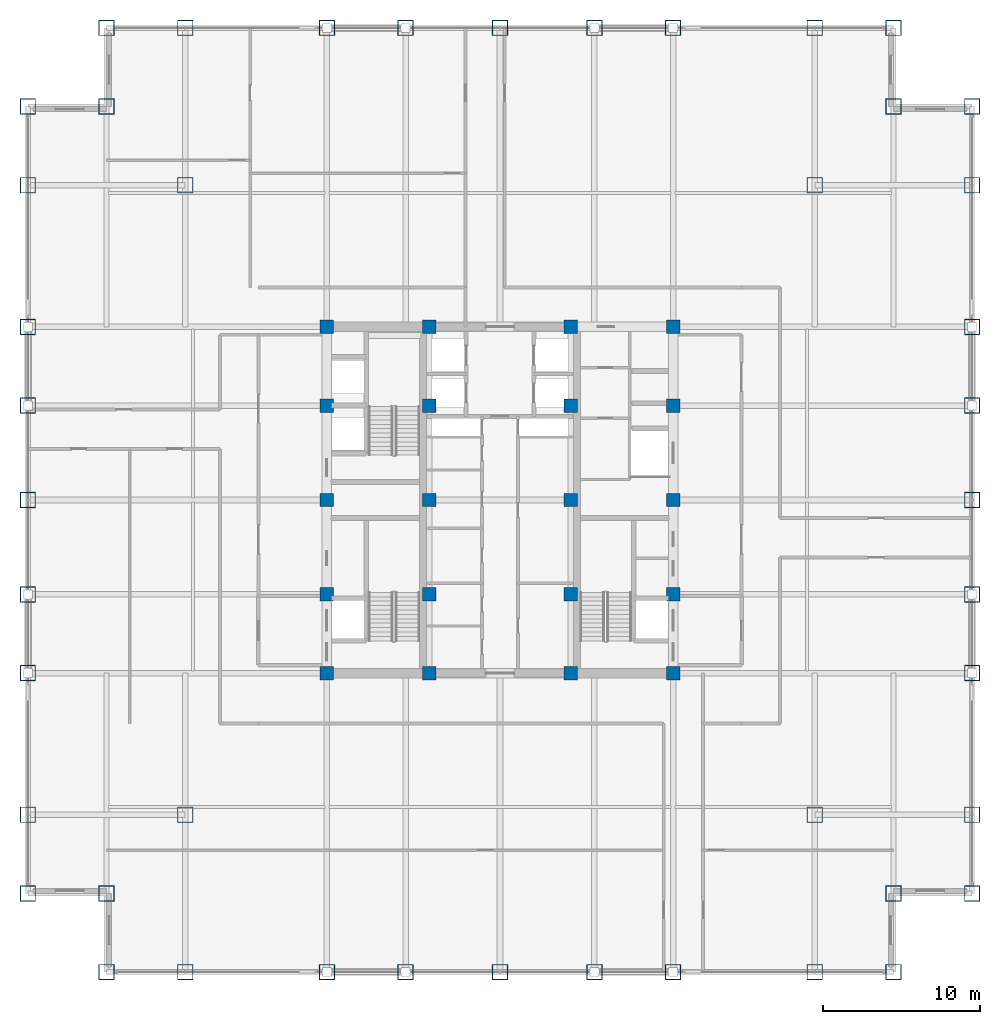
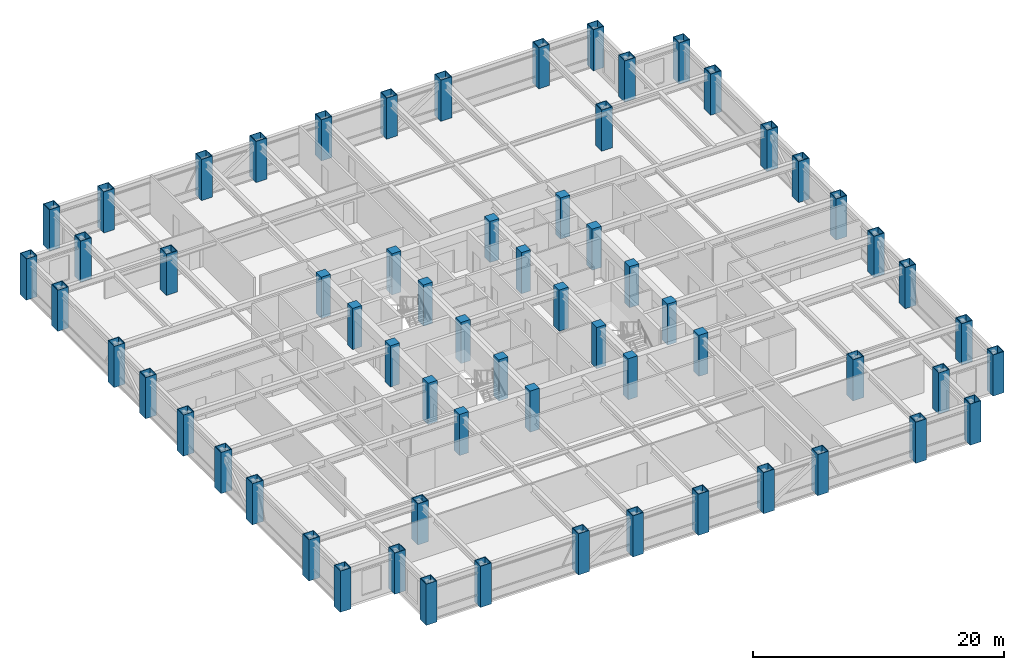
# One storey, part 1 of 24: 64 columns.
"""IFC4 building model written with IfcOpenShell, lengths in metres."""

from ifc_helpers import new_model, si_unit, direction, frame, origin, origin_2d, place, context, subcontext, project, spatial, rectangle, hollow_rectangle, extrude, source, transform, mapped, material, material_profile, profile_set, type_object, element, save


model = new_model("IFC4")

# Units and contexts
model_context = context("Model", 3, precision=1e-05, world=origin(), true_north=direction((0.0, 1.0)))
body_context = subcontext(model_context, "Body", "Model", "MODEL_VIEW")
ifc_project = project(units=[si_unit("LENGTHUNIT", "METRE"), si_unit("AREAUNIT", "SQUARE_METRE"), si_unit("VOLUMEUNIT", "CUBIC_METRE"), si_unit("PLANEANGLEUNIT", "RADIAN"), si_unit("MASSUNIT", "GRAM", prefix="KILO")], contexts=[model_context])

# Site, building, storey
site_placement = place(None, origin())
site = spatial("IfcSite", under=ifc_project, at=site_placement, CompositionType="ELEMENT")
building_placement = place(site_placement, origin())
building = spatial("IfcBuilding", under=site, at=building_placement, Name="Khorayat Bourse Tower", CompositionType="ELEMENT")
storey_placement = place(building_placement, frame((0.0, 0.0, 259.10009765625)))
storey = spatial("IfcBuildingStorey", under=building, at=storey_placement, Name="L61", CompositionType="ELEMENT", Elevation=259.10009765625)

# Columns
ifc_material_1 = material(Name="Concrete C60/75", Category="concrete")
ifc_material_profile_1 = material_profile(ifc_material_1, rectangle(XDim=0.85009765625, YDim=0.85009765625, at=origin_2d()), Name="RC 850x850")
ifc_profile_set_1 = profile_set([ifc_material_profile_1], Name="Concrete C60/75")
column_type_1 = type_object("IfcColumnType", Name="COL-CORE-850", PredefinedType="COLUMN", material=ifc_profile_set_1)
shared_shape_1 = source(origin(), body_context, "Body", "SweptSolid", [
    extrude(rectangle(XDim=0.85009765625, YDim=0.85009765625, at=origin_2d()), origin(), (0.0, 0.0, 1.0), 4.0),
])
for number, where, z_axis, x_axis, name in (
    (1, (-11.0, -11.0, 0.0), (0.0, 0.0, 1.0), (1.0, 0.0, 0.0), "L61 Column 019"),
    (2, (-11.0, -6.0, 0.0), (0.0, 0.0, 1.0), (1.0, 0.0, 0.0), "L61 Column 020"),
    (3, (-11.0, 0.0, 0.0), (0.0, 0.0, 1.0), (1.0, 0.0, 0.0), "L61 Column 021"),
    (4, (-11.0, 6.0, 0.0), (0.0, 0.0, 1.0), (1.0, 0.0, 0.0), "L61 Column 022"),
    (5, (-11.0, 11.0, 0.0), (0.0, 0.0, 1.0), (1.0, 0.0, 0.0), "L61 Column 023"),
    (6, (-4.5, -11.0, 0.0), (0.0, 0.0, 1.0), (1.0, 0.0, 0.0), "L61 Column 027"),
    (7, (-4.5, -6.0, 0.0), (0.0, 0.0, 1.0), (1.0, 0.0, 0.0), "L61 Column 028"),
    (8, (-4.5, 0.0, 0.0), (0.0, 0.0, 1.0), (1.0, 0.0, 0.0), "L61 Column 029"),
    (9, (-4.5, 6.0, 0.0), (0.0, 0.0, 1.0), (1.0, 0.0, 0.0), "L61 Column 030"),
    (10, (-4.5, 11.0, 0.0), (0.0, 0.0, 1.0), (1.0, 0.0, 0.0), "L61 Column 031"),
    (11, (4.5, -11.0, 0.0), (0.0, 0.0, 1.0), (1.0, 0.0, 0.0), "L61 Column 034"),
    (12, (4.5, -6.0, 0.0), (0.0, 0.0, 1.0), (1.0, 0.0, 0.0), "L61 Column 035"),
    (13, (4.5, 0.0, 0.0), (0.0, 0.0, 1.0), (1.0, 0.0, 0.0), "L61 Column 036"),
    (14, (4.5, 6.0, 0.0), (0.0, 0.0, 1.0), (1.0, 0.0, 0.0), "L61 Column 037"),
    (15, (4.5, 11.0, 0.0), (0.0, 0.0, 1.0), (1.0, 0.0, 0.0), "L61 Column 038"),
    (16, (11.0, -11.0, 0.0), (0.0, 0.0, 1.0), (1.0, 0.0, 0.0), "L61 Column 042"),
    (17, (11.0, -6.0, 0.0), (0.0, 0.0, 1.0), (1.0, 0.0, 0.0), "L61 Column 043"),
    (18, (11.0, 0.0, 0.0), (0.0, 0.0, 1.0), (1.0, 0.0, 0.0), "L61 Column 044"),
    (19, (11.0, 6.0, 0.0), (0.0, 0.0, 1.0), (1.0, 0.0, 0.0), "L61 Column 045"),
    (20, (11.0, 11.0, 0.0), (0.0, 0.0, 1.0), (1.0, 0.0, 0.0), "L61 Column 046"),
):
    element("IfcColumn", number, at=place(storey_placement, frame(where, z_axis=z_axis, x_axis=x_axis)), inside=storey, type_object=column_type_1, Name=name, PredefinedType="COLUMN", context=body_context, shape_type="MappedRepresentation", body=[
        mapped(shared_shape_1, transform((0.0, 0.0, 0.0), scale=1.0)),
    ])
ifc_material_2 = material(Name="Steel EN 10025-4 S460M", Category="steel")
ifc_material_profile_2 = material_profile(ifc_material_2, hollow_rectangle(XDim=1.0, YDim=1.0, WallThickness=0.054931640625, at=origin_2d()), Name="BOX 1000x1000x55")
ifc_profile_set_2 = profile_set([ifc_material_profile_2], Name="Steel EN 10025-4 S460M")
column_type_2 = type_object("IfcColumnType", Name="COL-TUBE-1000", PredefinedType="COLUMN", material=ifc_profile_set_2)
shared_shape_2 = source(origin(), body_context, "Body", "SweptSolid", [
    extrude(hollow_rectangle(XDim=1.0, YDim=1.0, WallThickness=0.054931640625, at=origin_2d()), origin(), (0.0, 0.0, 1.0), 4.0),
])
for number, where, z_axis, x_axis, name in (
    (21, (-30.0, -25.0, 0.0), (0.0, 0.0, 1.0), (1.0, 0.0, 0.0), "L61 Column 001"),
    (22, (-30.0, -20.0, 0.0), (0.0, 0.0, 1.0), (1.0, 0.0, 0.0), "L61 Column 002"),
    (23, (-30.0, -11.0, 0.0), (0.0, 0.0, 1.0), (1.0, 0.0, 0.0), "L61 Column 003"),
    (24, (-30.0, -6.0, 0.0), (0.0, 0.0, 1.0), (1.0, 0.0, 0.0), "L61 Column 004"),
    (25, (-30.0, 0.0, 0.0), (0.0, 0.0, 1.0), (1.0, 0.0, 0.0), "L61 Column 005"),
    (26, (-30.0, 6.0, 0.0), (0.0, 0.0, 1.0), (1.0, 0.0, 0.0), "L61 Column 006"),
    (27, (-30.0, 11.0, 0.0), (0.0, 0.0, 1.0), (1.0, 0.0, 0.0), "L61 Column 007"),
    (28, (-30.0, 20.0, 0.0), (0.0, 0.0, 1.0), (1.0, 0.0, 0.0), "L61 Column 008"),
    (29, (-30.0, 25.0, 0.0), (0.0, 0.0, 1.0), (1.0, 0.0, 0.0), "L61 Column 009"),
    (30, (-25.0, -30.0, 0.0), (0.0, 0.0, 1.0), (1.0, 0.0, 0.0), "L61 Column 010"),
    (31, (-25.0, -25.0, 0.0), (0.0, 0.0, 1.0), (1.0, 0.0, 0.0), "L61 Column 011"),
    (32, (-25.0, 25.0, 0.0), (0.0, 0.0, 1.0), (1.0, 0.0, 0.0), "L61 Column 012"),
    (33, (-25.0, 30.0, 0.0), (0.0, 0.0, 1.0), (1.0, 0.0, 0.0), "L61 Column 013"),
    (34, (-20.0, -30.0, 0.0), (0.0, 0.0, 1.0), (1.0, 0.0, 0.0), "L61 Column 014"),
    (35, (-20.0, -20.0, 0.0), (0.0, 0.0, 1.0), (1.0, 0.0, 0.0), "L61 Column 015"),
    (36, (-20.0, 20.0, 0.0), (0.0, 0.0, 1.0), (1.0, 0.0, 0.0), "L61 Column 016"),
    (37, (-20.0, 30.0, 0.0), (0.0, 0.0, 1.0), (1.0, 0.0, 0.0), "L61 Column 017"),
    (38, (-11.0, -30.0, 0.0), (0.0, 0.0, 1.0), (1.0, 0.0, 0.0), "L61 Column 018"),
    (39, (-11.0, 30.0, 0.0), (0.0, 0.0, 1.0), (1.0, 0.0, 0.0), "L61 Column 024"),
    (40, (-6.0, -30.0, 0.0), (0.0, 0.0, 1.0), (1.0, 0.0, 0.0), "L61 Column 025"),
    (41, (-6.0, 30.0, 0.0), (0.0, 0.0, 1.0), (1.0, 0.0, 0.0), "L61 Column 026"),
    (42, (0.0, -30.0, 0.0), (0.0, 0.0, 1.0), (1.0, 0.0, 0.0), "L61 Column 032"),
    (43, (0.0, 30.0, 0.0), (0.0, 0.0, 1.0), (1.0, 0.0, 0.0), "L61 Column 033"),
    (44, (6.0, -30.0, 0.0), (0.0, 0.0, 1.0), (1.0, 0.0, 0.0), "L61 Column 039"),
    (45, (6.0, 30.0, 0.0), (0.0, 0.0, 1.0), (1.0, 0.0, 0.0), "L61 Column 040"),
    (46, (11.0, -30.0, 0.0), (0.0, 0.0, 1.0), (1.0, 0.0, 0.0), "L61 Column 041"),
    (47, (11.0, 30.0, 0.0), (0.0, 0.0, 1.0), (1.0, 0.0, 0.0), "L61 Column 047"),
    (48, (20.0, -30.0, 0.0), (0.0, 0.0, 1.0), (1.0, 0.0, 0.0), "L61 Column 048"),
    (49, (20.0, -20.0, 0.0), (0.0, 0.0, 1.0), (1.0, 0.0, 0.0), "L61 Column 049"),
    (50, (20.0, 20.0, 0.0), (0.0, 0.0, 1.0), (1.0, 0.0, 0.0), "L61 Column 050"),
    (51, (20.0, 30.0, 0.0), (0.0, 0.0, 1.0), (1.0, 0.0, 0.0), "L61 Column 051"),
    (52, (25.0, -30.0, 0.0), (0.0, 0.0, 1.0), (1.0, 0.0, 0.0), "L61 Column 052"),
    (53, (25.0, -25.0, 0.0), (0.0, 0.0, 1.0), (1.0, 0.0, 0.0), "L61 Column 053"),
    (54, (25.0, 25.0, 0.0), (0.0, 0.0, 1.0), (1.0, 0.0, 0.0), "L61 Column 054"),
    (55, (25.0, 30.0, 0.0), (0.0, 0.0, 1.0), (1.0, 0.0, 0.0), "L61 Column 055"),
    (56, (30.0, -25.0, 0.0), (0.0, 0.0, 1.0), (1.0, 0.0, 0.0), "L61 Column 056"),
    (57, (30.0, -20.0, 0.0), (0.0, 0.0, 1.0), (1.0, 0.0, 0.0), "L61 Column 057"),
    (58, (30.0, -11.0, 0.0), (0.0, 0.0, 1.0), (1.0, 0.0, 0.0), "L61 Column 058"),
    (59, (30.0, -6.0, 0.0), (0.0, 0.0, 1.0), (1.0, 0.0, 0.0), "L61 Column 059"),
    (60, (30.0, 0.0, 0.0), (0.0, 0.0, 1.0), (1.0, 0.0, 0.0), "L61 Column 060"),
    (61, (30.0, 6.0, 0.0), (0.0, 0.0, 1.0), (1.0, 0.0, 0.0), "L61 Column 061"),
    (62, (30.0, 11.0, 0.0), (0.0, 0.0, 1.0), (1.0, 0.0, 0.0), "L61 Column 062"),
    (63, (30.0, 20.0, 0.0), (0.0, 0.0, 1.0), (1.0, 0.0, 0.0), "L61 Column 063"),
    (64, (30.0, 25.0, 0.0), (0.0, 0.0, 1.0), (1.0, 0.0, 0.0), "L61 Column 064"),
):
    element("IfcColumn", number, at=place(storey_placement, frame(where, z_axis=z_axis, x_axis=x_axis)), inside=storey, type_object=column_type_2, Name=name, PredefinedType="COLUMN", context=body_context, shape_type="MappedRepresentation", body=[
        mapped(shared_shape_2, transform((0.0, 0.0, 0.0), scale=1.0)),
    ])

save(model, "model.ifc")
